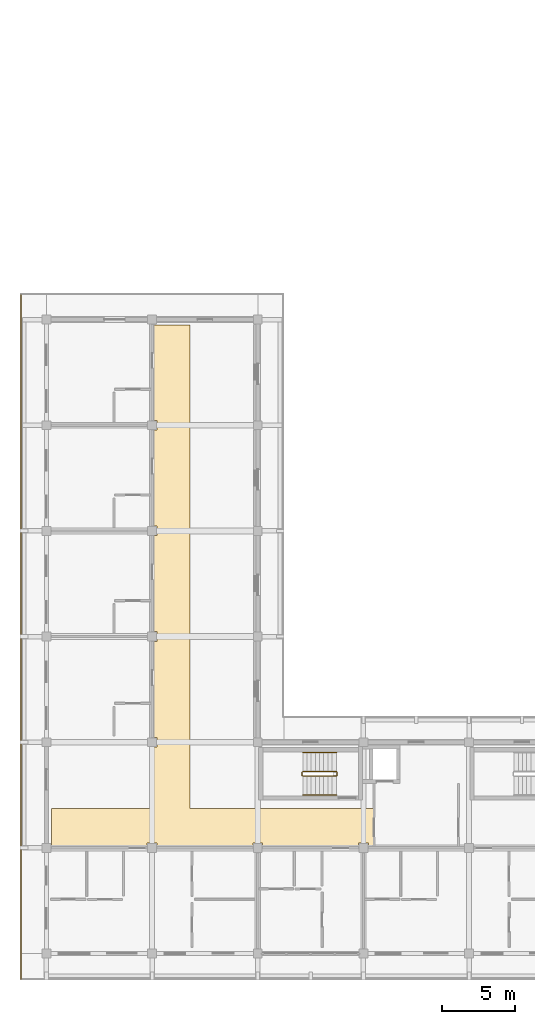
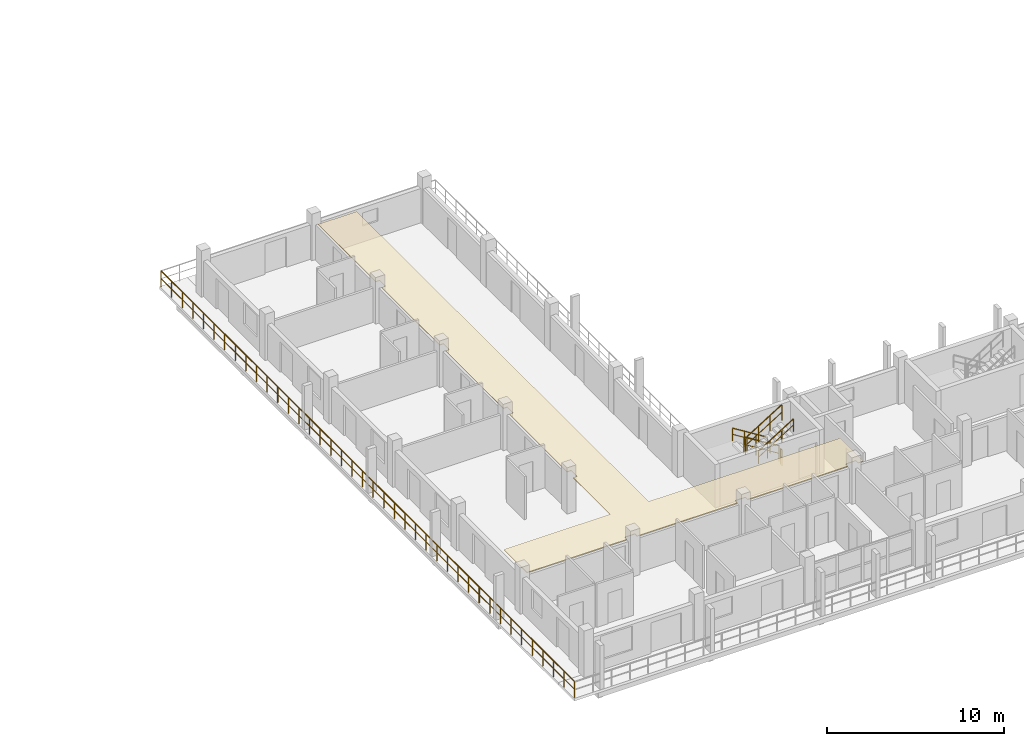
# One storey, part 63 of 76: 7 railings, 1 covering.
"""IFC4 building model written with IfcOpenShell, lengths in metres."""

from ifc_helpers import new_model, si_unit, direction, frame, origin, origin_2d, place, context, subcontext, project, spatial, polyline, rectangle, outline, extrude, material, layer, layer_set, type_object, element, save


model = new_model("IFC4")

# Units and contexts
model_context = context("Model", 3, precision=1e-05, world=origin(), true_north=direction((0.0, 1.0)))
body_context = subcontext(model_context, "Body", "Model", "MODEL_VIEW")
ifc_project = project(units=[si_unit("LENGTHUNIT", "METRE"), si_unit("AREAUNIT", "SQUARE_METRE"), si_unit("VOLUMEUNIT", "CUBIC_METRE"), si_unit("PLANEANGLEUNIT", "RADIAN"), si_unit("MASSUNIT", "GRAM", prefix="KILO")], contexts=[model_context])

# Site, building, storey
site_placement = place(None, origin())
site = spatial("IfcSite", under=ifc_project, at=site_placement, CompositionType="ELEMENT")
building_placement = place(site_placement, origin())
building = spatial("IfcBuilding", under=site, at=building_placement, Name="Suanplinth Sawtooth Commons", CompositionType="ELEMENT")
storey_placement = place(building_placement, frame((0.0, 0.0, 12.199951171875)))
storey = spatial("IfcBuildingStorey", under=building, at=storey_placement, Name="L03", CompositionType="ELEMENT", Elevation=12.199951171875)

# Covering
ifc_material_1 = material(Name="Mineral fibre acoustic tile")
ifc_layer = layer(ifc_material_1, 0.0400390625, Name="Perforated mineral-fibre acoustic suspended ceiling")
ifc_layer_set = layer_set([ifc_layer], Name="Mineral fibre acoustic tile")
covering_type = type_object("IfcCoveringType", Name="CV-CE01", PredefinedType="CEILING", material=ifc_layer_set)
covering_placement = place(storey_placement, frame((0.0, 0.0, 2.380126953125)))
element("IfcCovering", 1, at=covering_placement, inside=storey, type_object=covering_type, Name="L03 Block D Corridor Acoustic Ceiling", PredefinedType="CEILING", context=body_context, shape_type="SweptSolid", body=[
    extrude(outline(polyline([(0.360107421875, 9.89990234375), (7.280029296875, 9.89990234375), (7.280029296875, 14.070068359375), (7.530029296875, 14.070068359375), (7.530029296875, 14.72998046875), (7.280029296875, 14.72998046875), (7.280029296875, 21.27001953125), (7.530029296875, 21.27001953125), (7.530029296875, 21.929931640625), (7.280029296875, 21.929931640625), (7.280029296875, 28.469970703125), (7.530029296875, 28.469970703125), (7.530029296875, 29.1298828125), (7.280029296875, 29.1298828125), (7.280029296875, 35.669921875), (7.530029296875, 35.669921875), (7.530029296875, 36.330078125), (7.280029296875, 36.330078125), (7.280029296875, 42.840087890625), (9.800048828125, 42.840087890625), (9.800048828125, 9.89990234375), (22.280029296875, 9.89990234375), (22.280029296875, 7.280029296875), (21.929931640625, 7.280029296875), (21.929931640625, 7.530029296875), (21.27001953125, 7.530029296875), (21.27001953125, 7.280029296875), (14.72998046875, 7.280029296875), (14.72998046875, 7.530029296875), (14.070068359375, 7.530029296875), (14.070068359375, 7.280029296875), (7.530029296875, 7.280029296875), (7.530029296875, 7.530029296875), (6.8701171875, 7.530029296875), (6.8701171875, 7.280029296875), (0.360107421875, 7.280029296875), (0.360107421875, 9.89990234375)])), origin(), (0.0, 0.0, 1.0), 0.0400390625),
])

# Railings
ifc_material_2 = material(Name="Powder-coated galvanized steel", Category="steel")
railing_type_1 = type_object("IfcRailingType", Name="GR-01", PredefinedType="BALUSTRADE", material=ifc_material_2)
railing_1_placement = place(storey_placement, frame((-1.739990234375, -1.739990234375, 0.0)))
element("IfcRailing", 2, at=railing_1_placement, inside=storey, type_object=railing_type_1, Name="L03 Block D Perimeter Balustrade 1", PredefinedType="BALUSTRADE", context=body_context, shape_type="SweptSolid", body=[
    extrude(rectangle(XDim=0.048095703125, YDim=0.048095703125, at=origin_2d()), frame((0.0, 0.0, 1.09619140625), z_axis=(0.0, 1.0, 0.0), x_axis=(-1.0, 0.0, 0.0)), (0.0, 0.0, 1.0), 46.679931640625),
    extrude(rectangle(XDim=0.03369140625, YDim=0.03369140625, at=origin_2d()), frame((0.0, 0.0, 0.56005859375), z_axis=(0.0, 1.0, 0.0), x_axis=(-1.0, 0.0, 0.0)), (0.0, 0.0, 1.0), 46.679931640625),
    extrude(rectangle(XDim=0.0419921875, YDim=0.0419921875, at=origin_2d()), origin(), (0.0, 0.0, 1.0), 1.072021484375),
    extrude(rectangle(XDim=0.0419921875, YDim=0.0419921875, at=origin_2d()), frame((0.0, 1.197021484375, 0.0)), (0.0, 0.0, 1.0), 1.072021484375),
    extrude(rectangle(XDim=0.0419921875, YDim=0.0419921875, at=origin_2d()), frame((0.0, 2.393798828125, 0.0)), (0.0, 0.0, 1.0), 1.072021484375),
    extrude(rectangle(XDim=0.0419921875, YDim=0.0419921875, at=origin_2d()), frame((0.0, 3.5908203125, 0.0)), (0.0, 0.0, 1.0), 1.072021484375),
    extrude(rectangle(XDim=0.0419921875, YDim=0.0419921875, at=origin_2d()), frame((0.0, 4.78759765625, 0.0)), (0.0, 0.0, 1.0), 1.072021484375),
    extrude(rectangle(XDim=0.0419921875, YDim=0.0419921875, at=origin_2d()), frame((0.0, 5.984619140625, 0.0)), (0.0, 0.0, 1.0), 1.072021484375),
    extrude(rectangle(XDim=0.0419921875, YDim=0.0419921875, at=origin_2d()), frame((0.0, 7.181640625, 0.0)), (0.0, 0.0, 1.0), 1.072021484375),
    extrude(rectangle(XDim=0.0419921875, YDim=0.0419921875, at=origin_2d()), frame((0.0, 8.37841796875, 0.0)), (0.0, 0.0, 1.0), 1.072021484375),
    extrude(rectangle(XDim=0.0419921875, YDim=0.0419921875, at=origin_2d()), frame((0.0, 9.575439453125, 0.0)), (0.0, 0.0, 1.0), 1.072021484375),
    extrude(rectangle(XDim=0.0419921875, YDim=0.0419921875, at=origin_2d()), frame((0.0, 10.772216796875, 0.0)), (0.0, 0.0, 1.0), 1.072021484375),
    extrude(rectangle(XDim=0.0419921875, YDim=0.0419921875, at=origin_2d()), frame((0.0, 11.96923828125, 0.0)), (0.0, 0.0, 1.0), 1.072021484375),
    extrude(rectangle(XDim=0.0419921875, YDim=0.0419921875, at=origin_2d()), frame((0.0, 13.166015625, 0.0)), (0.0, 0.0, 1.0), 1.072021484375),
    extrude(rectangle(XDim=0.0419921875, YDim=0.0419921875, at=origin_2d()), frame((0.0, 14.363037109375, 0.0)), (0.0, 0.0, 1.0), 1.072021484375),
    extrude(rectangle(XDim=0.0419921875, YDim=0.0419921875, at=origin_2d()), frame((0.0, 15.56005859375, 0.0)), (0.0, 0.0, 1.0), 1.072021484375),
    extrude(rectangle(XDim=0.0419921875, YDim=0.0419921875, at=origin_2d()), frame((0.0, 16.7568359375, 0.0)), (0.0, 0.0, 1.0), 1.072021484375),
    extrude(rectangle(XDim=0.0419921875, YDim=0.0419921875, at=origin_2d()), frame((0.0, 17.953857421875, 0.0)), (0.0, 0.0, 1.0), 1.072021484375),
    extrude(rectangle(XDim=0.0419921875, YDim=0.0419921875, at=origin_2d()), frame((0.0, 19.150634765625, 0.0)), (0.0, 0.0, 1.0), 1.072021484375),
    extrude(rectangle(XDim=0.0419921875, YDim=0.0419921875, at=origin_2d()), frame((0.0, 20.34765625, 0.0)), (0.0, 0.0, 1.0), 1.072021484375),
    extrude(rectangle(XDim=0.0419921875, YDim=0.0419921875, at=origin_2d()), frame((0.0, 21.544677734375, 0.0)), (0.0, 0.0, 1.0), 1.072021484375),
    extrude(rectangle(XDim=0.0419921875, YDim=0.0419921875, at=origin_2d()), frame((0.0, 22.741455078125, 0.0)), (0.0, 0.0, 1.0), 1.072021484375),
    extrude(rectangle(XDim=0.0419921875, YDim=0.0419921875, at=origin_2d()), frame((0.0, 23.9384765625, 0.0)), (0.0, 0.0, 1.0), 1.072021484375),
    extrude(rectangle(XDim=0.0419921875, YDim=0.0419921875, at=origin_2d()), frame((0.0, 25.13525390625, 0.0)), (0.0, 0.0, 1.0), 1.072021484375),
    extrude(rectangle(XDim=0.0419921875, YDim=0.0419921875, at=origin_2d()), frame((0.0, 26.332275390625, 0.0)), (0.0, 0.0, 1.0), 1.072021484375),
    extrude(rectangle(XDim=0.0419921875, YDim=0.0419921875, at=origin_2d()), frame((0.0, 27.529296875, 0.0)), (0.0, 0.0, 1.0), 1.072021484375),
    extrude(rectangle(XDim=0.0419921875, YDim=0.0419921875, at=origin_2d()), frame((0.0, 28.72607421875, 0.0)), (0.0, 0.0, 1.0), 1.072021484375),
    extrude(rectangle(XDim=0.0419921875, YDim=0.0419921875, at=origin_2d()), frame((0.0, 29.923095703125, 0.0)), (0.0, 0.0, 1.0), 1.072021484375),
    extrude(rectangle(XDim=0.0419921875, YDim=0.0419921875, at=origin_2d()), frame((0.0, 31.119873046875, 0.0)), (0.0, 0.0, 1.0), 1.072021484375),
    extrude(rectangle(XDim=0.0419921875, YDim=0.0419921875, at=origin_2d()), frame((0.0, 32.31689453125, 0.0)), (0.0, 0.0, 1.0), 1.072021484375),
    extrude(rectangle(XDim=0.0419921875, YDim=0.0419921875, at=origin_2d()), frame((0.0, 33.513916015625, 0.0)), (0.0, 0.0, 1.0), 1.072021484375),
    extrude(rectangle(XDim=0.0419921875, YDim=0.0419921875, at=origin_2d()), frame((0.0, 34.710693359375, 0.0)), (0.0, 0.0, 1.0), 1.072021484375),
    extrude(rectangle(XDim=0.0419921875, YDim=0.0419921875, at=origin_2d()), frame((0.0, 35.90771484375, 0.0)), (0.0, 0.0, 1.0), 1.072021484375),
    extrude(rectangle(XDim=0.0419921875, YDim=0.0419921875, at=origin_2d()), frame((0.0, 37.1044921875, 0.0)), (0.0, 0.0, 1.0), 1.072021484375),
    extrude(rectangle(XDim=0.0419921875, YDim=0.0419921875, at=origin_2d()), frame((0.0, 38.301513671875, 0.0)), (0.0, 0.0, 1.0), 1.072021484375),
    extrude(rectangle(XDim=0.0419921875, YDim=0.0419921875, at=origin_2d()), frame((0.0, 39.498291015625, 0.0)), (0.0, 0.0, 1.0), 1.072021484375),
    extrude(rectangle(XDim=0.0419921875, YDim=0.0419921875, at=origin_2d()), frame((0.0, 40.6953125, 0.0)), (0.0, 0.0, 1.0), 1.072021484375),
    extrude(rectangle(XDim=0.0419921875, YDim=0.0419921875, at=origin_2d()), frame((0.0, 41.892333984375, 0.0)), (0.0, 0.0, 1.0), 1.072021484375),
    extrude(rectangle(XDim=0.0419921875, YDim=0.0419921875, at=origin_2d()), frame((0.0, 43.089111328125, 0.0)), (0.0, 0.0, 1.0), 1.072021484375),
    extrude(rectangle(XDim=0.0419921875, YDim=0.0419921875, at=origin_2d()), frame((0.0, 44.2861328125, 0.0)), (0.0, 0.0, 1.0), 1.072021484375),
    extrude(rectangle(XDim=0.0419921875, YDim=0.0419921875, at=origin_2d()), frame((0.0, 45.48291015625, 0.0)), (0.0, 0.0, 1.0), 1.072021484375),
    extrude(rectangle(XDim=0.0419921875, YDim=0.0419921875, at=origin_2d()), frame((0.0, 46.679931640625, 0.0)), (0.0, 0.0, 1.0), 1.072021484375),
])
ifc_material_3 = material(Name="Stainless steel Grade 304", Category="steel")
railing_type_2 = type_object("IfcRailingType", Name="GR-04", PredefinedType="GUARDRAIL", material=ifc_material_3)
railing_2_placement = place(storey_placement, frame((19.75, 12.39990234375, 0.177734375)))
element("IfcRailing", 3, at=railing_2_placement, inside=storey, type_object=railing_type_2, Name="L03 ST-W1 Guard 1", PredefinedType="GUARDRAIL", context=body_context, shape_type="SweptSolid", body=[
    extrude(rectangle(XDim=0.048095703125, YDim=0.048095703125, at=origin_2d()), frame((0.0, 0.0, 1.076171875), z_axis=(-0.848442045328, 0.0, 0.529288291689), x_axis=(0.0, -1.0, 0.0)), (0.0, 0.0, 1.0), 2.687255859375),
    extrude(rectangle(XDim=0.03369140625, YDim=0.03369140625, at=origin_2d()), frame((0.0, 0.0, 0.550048828125), z_axis=(-0.848442045328, 0.0, 0.529288291689), x_axis=(0.0, -1.0, 0.0)), (0.0, 0.0, 1.0), 2.687255859375),
    extrude(rectangle(XDim=0.0419921875, YDim=0.0419921875, at=origin_2d()), origin(), (0.0, 0.0, 1.0), 1.052001953125),
    extrude(rectangle(XDim=0.0419921875, YDim=0.0419921875, at=origin_2d()), frame((-0.760009765625, 0.0, 0.47412109375)), (0.0, 0.0, 1.0), 1.052001953125),
    extrude(rectangle(XDim=0.0419921875, YDim=0.0419921875, at=origin_2d()), frame((-1.52001953125, 0.0, 0.9482421875)), (0.0, 0.0, 1.0), 1.052001953125),
    extrude(rectangle(XDim=0.0419921875, YDim=0.0419921875, at=origin_2d()), frame((-2.280029296875, 0.0, 1.42236328125)), (0.0, 0.0, 1.0), 1.052001953125),
])
railing_3_placement = place(storey_placement, frame((17.419921875, 12.35009765625, 1.60009765625)))
element("IfcRailing", 4, at=railing_3_placement, inside=storey, type_object=railing_type_2, Name="L03 ST-W1 Guard 2", PredefinedType="GUARDRAIL", context=body_context, shape_type="SweptSolid", body=[
    extrude(rectangle(XDim=0.048095703125, YDim=0.048095703125, at=origin_2d()), frame((0.0, 0.0, 1.076171875), z_axis=(0.0, -1.0, 0.0), x_axis=(1.0, 0.0, 0.0)), (0.0, 0.0, 1.0), 0.2001953125),
    extrude(rectangle(XDim=0.03369140625, YDim=0.03369140625, at=origin_2d()), frame((0.0, 0.0, 0.550048828125), z_axis=(0.0, -1.0, 0.0), x_axis=(1.0, 0.0, 0.0)), (0.0, 0.0, 1.0), 0.2001953125),
    extrude(rectangle(XDim=0.0419921875, YDim=0.0419921875, at=origin_2d()), origin(), (0.0, 0.0, 1.0), 1.052001953125),
    extrude(rectangle(XDim=0.0419921875, YDim=0.0419921875, at=origin_2d()), frame((0.0, -0.2001953125, 0.0)), (0.0, 0.0, 1.0), 1.052001953125),
])
railing_4_placement = place(storey_placement, frame((17.469970703125, 12.10009765625, 1.77783203125)))
element("IfcRailing", 5, at=railing_4_placement, inside=storey, type_object=railing_type_2, Name="L03 ST-W1 Guard 3", PredefinedType="GUARDRAIL", context=body_context, shape_type="SweptSolid", body=[
    extrude(rectangle(XDim=0.048095703125, YDim=0.048095703125, at=origin_2d()), frame((0.0, 0.0, 1.076171875), z_axis=(0.848482842525, 0.0, 0.529222888715), x_axis=(0.0, 1.0, 0.0)), (0.0, 0.0, 1.0), 2.687255859375),
    extrude(rectangle(XDim=0.03369140625, YDim=0.03369140625, at=origin_2d()), frame((0.0, 0.0, 0.550048828125), z_axis=(0.848482842525, 0.0, 0.529222888715), x_axis=(0.0, 1.0, 0.0)), (0.0, 0.0, 1.0), 2.687255859375),
    extrude(rectangle(XDim=0.0419921875, YDim=0.0419921875, at=origin_2d()), origin(), (0.0, 0.0, 1.0), 1.052001953125),
    extrude(rectangle(XDim=0.0419921875, YDim=0.0419921875, at=origin_2d()), frame((0.760009765625, 0.0, 0.47412109375)), (0.0, 0.0, 1.0), 1.052001953125),
    extrude(rectangle(XDim=0.0419921875, YDim=0.0419921875, at=origin_2d()), frame((1.52001953125, 0.0, 0.947998046875)), (0.0, 0.0, 1.0), 1.052001953125),
    extrude(rectangle(XDim=0.0419921875, YDim=0.0419921875, at=origin_2d()), frame((2.280029296875, 0.0, 1.422119140625)), (0.0, 0.0, 1.0), 1.052001953125),
])
railing_5_placement = place(storey_placement, frame((19.800048828125, 12.35009765625, 0.0)))
element("IfcRailing", 6, at=railing_5_placement, inside=storey, type_object=railing_type_2, Name="L03 ST-W1 Guard 4", PredefinedType="GUARDRAIL", context=body_context, shape_type="SweptSolid", body=[
    extrude(rectangle(XDim=0.048095703125, YDim=0.048095703125, at=origin_2d()), frame((0.0, 0.0, 1.076171875), z_axis=(0.0, -1.0, 0.0), x_axis=(1.0, 0.0, 0.0)), (0.0, 0.0, 1.0), 0.2001953125),
    extrude(rectangle(XDim=0.03369140625, YDim=0.03369140625, at=origin_2d()), frame((0.0, 0.0, 0.550048828125), z_axis=(0.0, -1.0, 0.0), x_axis=(1.0, 0.0, 0.0)), (0.0, 0.0, 1.0), 0.2001953125),
    extrude(rectangle(XDim=0.0419921875, YDim=0.0419921875, at=origin_2d()), origin(), (0.0, 0.0, 1.0), 1.052001953125),
    extrude(rectangle(XDim=0.0419921875, YDim=0.0419921875, at=origin_2d()), frame((0.0, -0.2001953125, 0.0)), (0.0, 0.0, 1.0), 1.052001953125),
])
railing_type_3 = type_object("IfcRailingType", Name="HR-01", PredefinedType="HANDRAIL", material=ifc_material_3)
railing_6_placement = place(storey_placement, frame((19.75, 13.699951171875, 0.177734375)))
element("IfcRailing", 7, at=railing_6_placement, inside=storey, type_object=railing_type_3, Name="L03 ST-W1 Handrail 1", PredefinedType="HANDRAIL", context=body_context, shape_type="SweptSolid", body=[
    extrude(rectangle(XDim=0.048095703125, YDim=0.048095703125, at=origin_2d()), frame((0.0, 0.0, 0.8759765625), z_axis=(-0.848442045328, 0.0, 0.529288291689), x_axis=(0.0, -1.0, 0.0)), (0.0, 0.0, 1.0), 2.687255859375),
    extrude(rectangle(XDim=0.03369140625, YDim=0.03369140625, at=origin_2d()), frame((0.0, 0.0, 0.449951171875), z_axis=(-0.848442045328, 0.0, 0.529288291689), x_axis=(0.0, -1.0, 0.0)), (0.0, 0.0, 1.0), 2.687255859375),
    extrude(rectangle(XDim=0.0419921875, YDim=0.0419921875, at=origin_2d()), origin(), (0.0, 0.0, 1.0), 0.851806640625),
    extrude(rectangle(XDim=0.0419921875, YDim=0.0419921875, at=origin_2d()), frame((-0.760009765625, 0.0, 0.47412109375)), (0.0, 0.0, 1.0), 0.851806640625),
    extrude(rectangle(XDim=0.0419921875, YDim=0.0419921875, at=origin_2d()), frame((-1.52001953125, 0.0, 0.9482421875)), (0.0, 0.0, 1.0), 0.851806640625),
    extrude(rectangle(XDim=0.0419921875, YDim=0.0419921875, at=origin_2d()), frame((-2.280029296875, 0.0, 1.42236328125)), (0.0, 0.0, 1.0), 0.851806640625),
])
railing_7_placement = place(storey_placement, frame((17.469970703125, 10.800048828125, 1.77783203125)))
element("IfcRailing", 8, at=railing_7_placement, inside=storey, type_object=railing_type_3, Name="L03 ST-W1 Handrail 2", PredefinedType="HANDRAIL", context=body_context, shape_type="SweptSolid", body=[
    extrude(rectangle(XDim=0.048095703125, YDim=0.048095703125, at=origin_2d()), frame((0.0, 0.0, 0.8759765625), z_axis=(0.848482842525, 0.0, 0.529222888715), x_axis=(0.0, 1.0, 0.0)), (0.0, 0.0, 1.0), 2.687255859375),
    extrude(rectangle(XDim=0.03369140625, YDim=0.03369140625, at=origin_2d()), frame((0.0, 0.0, 0.449951171875), z_axis=(0.848482842525, 0.0, 0.529222888715), x_axis=(0.0, 1.0, 0.0)), (0.0, 0.0, 1.0), 2.687255859375),
    extrude(rectangle(XDim=0.0419921875, YDim=0.0419921875, at=origin_2d()), origin(), (0.0, 0.0, 1.0), 0.851806640625),
    extrude(rectangle(XDim=0.0419921875, YDim=0.0419921875, at=origin_2d()), frame((0.760009765625, 0.0, 0.47412109375)), (0.0, 0.0, 1.0), 0.851806640625),
    extrude(rectangle(XDim=0.0419921875, YDim=0.0419921875, at=origin_2d()), frame((1.52001953125, 0.0, 0.947998046875)), (0.0, 0.0, 1.0), 0.851806640625),
    extrude(rectangle(XDim=0.0419921875, YDim=0.0419921875, at=origin_2d()), frame((2.280029296875, 0.0, 1.422119140625)), (0.0, 0.0, 1.0), 0.851806640625),
])

save(model, "model.ifc")
